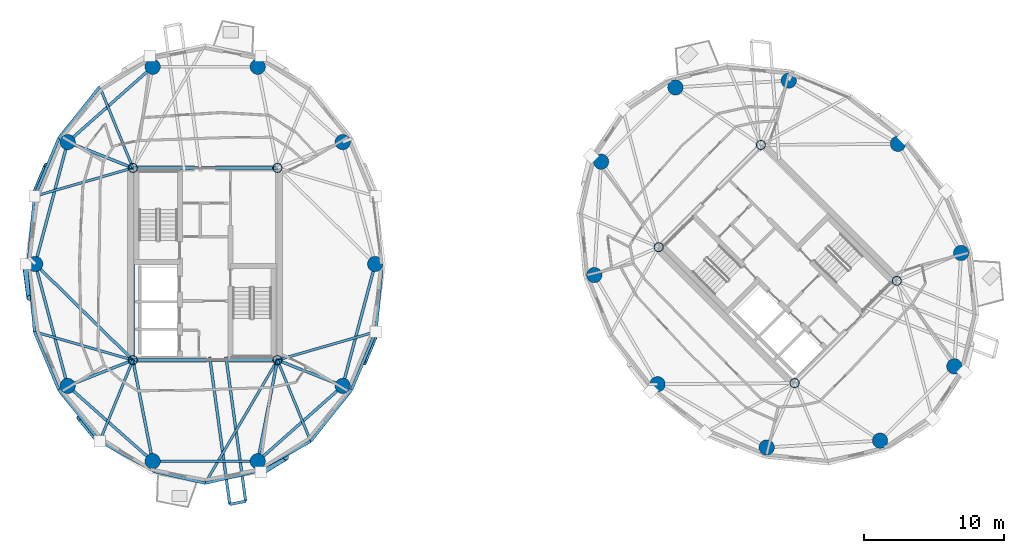
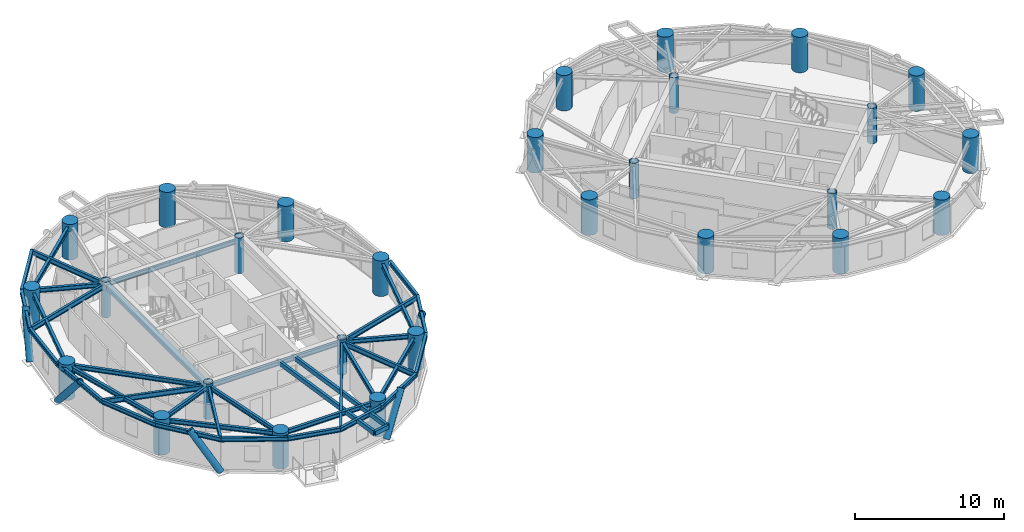
# One storey, part 1 of 16: 39 beams, 28 columns, 5 members.
"""IFC4 building model written with IfcOpenShell, lengths in metres."""

from ifc_helpers import new_model, si_unit, direction, frame, origin, origin_2d, place, context, subcontext, project, spatial, hollow_rectangle, circle, hollow_circle, i_section, extrude, material, material_profile, profile_set, type_object, element, save


model = new_model("IFC4")

# Units and contexts
model_context = context("Model", 3, precision=1e-05, world=origin(), true_north=direction((0.0, 1.0)))
body_context = subcontext(model_context, "Body", "Model", "MODEL_VIEW")
ifc_project = project(units=[si_unit("LENGTHUNIT", "METRE"), si_unit("AREAUNIT", "SQUARE_METRE"), si_unit("VOLUMEUNIT", "CUBIC_METRE"), si_unit("PLANEANGLEUNIT", "RADIAN"), si_unit("MASSUNIT", "GRAM", prefix="KILO")], contexts=[model_context])

# Site, building, storey
site_placement = place(None, origin())
site = spatial("IfcSite", under=ifc_project, at=site_placement, CompositionType="ELEMENT")
building_placement = place(site_placement, origin())
building = spatial("IfcBuilding", under=site, at=building_placement, Name="Cununo Teusaquillo Station Towers", CompositionType="ELEMENT")
storey_placement = place(building_placement, frame((0.0, 0.0, 214.1201171875)))
storey = spatial("IfcBuildingStorey", under=building, at=storey_placement, Name="L68", CompositionType="ELEMENT", Elevation=214.1201171875)

# Columns
ifc_material_1 = material(Name="Steel EN 10025-2 S355J2", Category="steel")
ifc_material_profile_1 = material_profile(ifc_material_1, hollow_circle(Radius=0.330078125, WallThickness=0.02490234375, at=origin_2d()), Name="CHS 660x25")
ifc_profile_set_1 = profile_set([ifc_material_profile_1], Name="Steel EN 10025-2 S355J2")
column_type_1 = type_object("IfcColumnType", Name="COL-CORE-Z3", PredefinedType="COLUMN", material=ifc_profile_set_1)
for number, where, z_axis, x_axis, name in (
    (1, (11.324951171875, 17.6201171875, 0.0), (0.0, 0.0, 1.0), (1.0, 0.0, 0.0), "L68 Tower A Core Column 1"),
    (2, (11.324951171875, 31.3798828125, 0.0), (0.0, 0.0, 1.0), (1.0, 0.0, 0.0), "L68 Tower A Core Column 2"),
    (3, (21.675048828125, 17.6201171875, 0.0), (0.0, 0.0, 1.0), (1.0, 0.0, 0.0), "L68 Tower A Core Column 3"),
    (4, (21.675048828125, 31.3798828125, 0.0), (0.0, 0.0, 1.0), (1.0, 0.0, 0.0), "L68 Tower A Core Column 4"),
    (5, (58.70556640625, 15.975830078125, 0.0), (0.0, 0.0, 1.0), (0.707106781187, 0.707106781187, 0.0), "L68 Tower B Core Column 1"),
    (6, (48.975830078125, 25.70556640625, 0.0), (0.0, 0.0, 1.0), (0.707106781187, 0.707106781187, 0.0), "L68 Tower B Core Column 2"),
    (7, (66.024169921875, 23.29443359375, 0.0), (0.0, 0.0, 1.0), (0.707106781187, 0.707106781187, 0.0), "L68 Tower B Core Column 3"),
    (8, (56.29443359375, 33.024169921875, 0.0), (0.0, 0.0, 1.0), (0.707106781187, 0.707106781187, 0.0), "L68 Tower B Core Column 4"),
):
    element("IfcColumn", number, at=place(storey_placement, frame(where, z_axis=z_axis, x_axis=x_axis)), inside=storey, type_object=column_type_1, Name=name, PredefinedType="COLUMN", context=body_context, shape_type="SweptSolid", body=[
        extrude(hollow_circle(Radius=0.330078125, WallThickness=0.02490234375, at=origin_2d()), origin(), (0.0, 0.0, 1.0), 2.909912109375),
    ])
ifc_material_2 = material(Name="Concrete C50/60", Category="concrete")
ifc_material_profile_2 = material_profile(ifc_material_2, circle(Radius=0.550048828125, at=origin_2d()), Name="RC-CIRC-1100")
ifc_profile_set_2 = profile_set([ifc_material_profile_2], Name="Concrete C50/60")
column_type_2 = type_object("IfcColumnType", Name="COL-MEGA-Z4", PredefinedType="USERDEFINED", material=ifc_profile_set_2)
for number, where, z_axis, x_axis, name in (
    (9, (28.672119140625, 24.5, 0.0), (0.0, 0.0, 1.0), (1.0, 0.0, 0.0), "L68 Tower A Perimeter Column V00"),
    (10, (26.347412109375, 33.228515625, 0.0), (0.0, 0.0, 1.0), (1.0, 0.0, 0.0), "L68 Tower A Perimeter Column V02"),
    (11, (20.261474609375, 38.623291015625, 0.0), (0.0, 0.0, 1.0), (1.0, 0.0, 0.0), "L68 Tower A Perimeter Column V04"),
    (12, (12.738525390625, 38.623291015625, 0.0), (0.0, 0.0, 1.0), (1.0, 0.0, 0.0), "L68 Tower A Perimeter Column V06"),
    (13, (6.652587890625, 33.228515625, 0.0), (0.0, 0.0, 1.0), (1.0, 0.0, 0.0), "L68 Tower A Perimeter Column V08"),
    (14, (4.327880859375, 24.5, 0.0), (0.0, 0.0, 1.0), (1.0, 0.0, 0.0), "L68 Tower A Perimeter Column V10"),
    (15, (6.652587890625, 15.771484375, 0.0), (0.0, 0.0, 1.0), (1.0, 0.0, 0.0), "L68 Tower A Perimeter Column V12"),
    (16, (12.738525390625, 10.376708984375, 0.0), (0.0, 0.0, 1.0), (1.0, 0.0, 0.0), "L68 Tower A Perimeter Column V14"),
    (17, (20.261474609375, 10.376708984375, 0.0), (0.0, 0.0, 1.0), (1.0, 0.0, 0.0), "L68 Tower A Perimeter Column V16"),
    (18, (26.347412109375, 15.771484375, 0.0), (0.0, 0.0, 1.0), (1.0, 0.0, 0.0), "L68 Tower A Perimeter Column V18"),
    (19, (66.10693359375, 33.10693359375, 0.0), (0.0, 0.0, 1.0), (1.0, 0.0, 0.0), "L68 Tower B Perimeter Column V00"),
    (20, (58.291015625, 37.63525390625, 0.0), (0.0, 0.0, 1.0), (1.0, 0.0, 0.0), "L68 Tower B Perimeter Column V02"),
    (21, (50.173095703125, 37.146240234375, 0.0), (0.0, 0.0, 1.0), (1.0, 0.0, 0.0), "L68 Tower B Perimeter Column V04"),
    (22, (44.853759765625, 31.826904296875, 0.0), (0.0, 0.0, 1.0), (1.0, 0.0, 0.0), "L68 Tower B Perimeter Column V06"),
    (23, (44.36474609375, 23.708984375, 0.0), (0.0, 0.0, 1.0), (1.0, 0.0, 0.0), "L68 Tower B Perimeter Column V08"),
    (24, (48.89306640625, 15.89306640625, 0.0), (0.0, 0.0, 1.0), (1.0, 0.0, 0.0), "L68 Tower B Perimeter Column V10"),
    (25, (56.708984375, 11.36474609375, 0.0), (0.0, 0.0, 1.0), (1.0, 0.0, 0.0), "L68 Tower B Perimeter Column V12"),
    (26, (64.826904296875, 11.853759765625, 0.0), (0.0, 0.0, 1.0), (1.0, 0.0, 0.0), "L68 Tower B Perimeter Column V14"),
    (27, (70.146240234375, 17.173095703125, 0.0), (0.0, 0.0, 1.0), (1.0, 0.0, 0.0), "L68 Tower B Perimeter Column V16"),
    (28, (70.63525390625, 25.291015625, 0.0), (0.0, 0.0, 1.0), (1.0, 0.0, 0.0), "L68 Tower B Perimeter Column V18"),
):
    element("IfcColumn", number, at=place(storey_placement, frame(where, z_axis=z_axis, x_axis=x_axis)), inside=storey, type_object=column_type_2, Name=name, ObjectType="MEGA COLUMN", PredefinedType="USERDEFINED", context=body_context, shape_type="SweptSolid", body=[
        extrude(circle(Radius=0.550048828125, at=origin_2d()), origin(), (0.0, 0.0, 1.0), 2.909912109375),
    ])

# Beams
ifc_material_3 = material(Name="Steel EN 10025-2 S355J2", Category="steel")
ifc_material_profile_3 = material_profile(ifc_material_3, hollow_rectangle(XDim=0.199951171875, YDim=0.35009765625, WallThickness=0.013916015625, at=origin_2d()), Name="RHS 350x200x14")
ifc_profile_set_3 = profile_set([ifc_material_profile_3], Name="Steel EN 10025-2 S355J2")
beam_type_1 = type_object("IfcBeamType", Name="BM-BAL-CANT", PredefinedType="BEAM", material=ifc_profile_set_3)
beam_1_placement = place(storey_placement, frame((16.822998046875, 17.85009765625, 2.52490234375), z_axis=(0.135006880627, -0.990844660975, 0.0), x_axis=(0.990844660975, 0.135006880627, 0.0)))
element("IfcBeam", 29, at=beam_1_placement, inside=storey, type_object=beam_type_1, Name="L68 Tower A Balcony Cantilever Bracket 2A", PredefinedType="BEAM", context=body_context, shape_type="SweptSolid", body=[
    extrude(hollow_rectangle(XDim=0.199951171875, YDim=0.35009765625, WallThickness=0.013916015625, at=origin_2d()), origin(), (0.0, 0.0, 1.0), 10.65673828125),
])
beam_2_placement = place(storey_placement, frame((17.9892578125, 17.85009765625, 2.52490234375), z_axis=(0.135018196505, -0.990843119072, 0.0), x_axis=(0.990843119072, 0.135018196505, 0.0)))
element("IfcBeam", 30, at=beam_2_placement, inside=storey, type_object=beam_type_1, Name="L68 Tower A Balcony Cantilever Bracket 2B", PredefinedType="BEAM", context=body_context, shape_type="SweptSolid", body=[
    extrude(hollow_rectangle(XDim=0.199951171875, YDim=0.35009765625, WallThickness=0.013916015625, at=origin_2d()), origin(), (0.0, 0.0, 1.0), 10.43505859375),
])
ifc_material_4 = material(Name="Steel EN 10025-2 S355J2", Category="steel")
ifc_material_profile_4 = material_profile(ifc_material_4, hollow_rectangle(XDim=0.25, YDim=0.449951171875, WallThickness=0.01611328125, at=origin_2d()), Name="RHS 450x250x16")
ifc_profile_set_4 = profile_set([ifc_material_profile_4], Name="Steel EN 10025-2 S355J2")
beam_type_2 = type_object("IfcBeamType", Name="BM-COUP-1", PredefinedType="USERDEFINED", material=ifc_profile_set_4)
beam_3_placement = place(storey_placement, frame((11.324951171875, 17.6201171875, 2.474853515625), z_axis=(0.0, 1.0, 0.0), x_axis=(-1.0, 0.0, 0.0)))
element("IfcBeam", 31, at=beam_3_placement, inside=storey, type_object=beam_type_2, Name="L68 Tower A Core Beam 1", ObjectType="COUPLING BEAM", PredefinedType="USERDEFINED", context=body_context, shape_type="SweptSolid", body=[
    extrude(hollow_rectangle(XDim=0.25, YDim=0.449951171875, WallThickness=0.01611328125, at=origin_2d()), origin(), (0.0, 0.0, 1.0), 13.759765625),
])
ifc_material_5 = material(Name="Steel ASTM A572 Grade 50", Category="steel")
ifc_material_profile_5 = material_profile(ifc_material_5, i_section(OverallWidth=0.180908203125, OverallDepth=0.4169921875, WebThickness=0.010986328125, FlangeThickness=0.018310546875, FilletRadius=0.012939453125, at=origin_2d()), Name="W16X57")
ifc_profile_set_5 = profile_set([ifc_material_profile_5], Name="Steel ASTM A572 Grade 50")
beam_type_3 = type_object("IfcBeamType", Name="BM-JOIST-1", PredefinedType="JOIST", material=ifc_profile_set_5)
beam_4_placement = place(storey_placement, frame((11.324951171875, 31.3798828125, 2.491455078125), z_axis=(-0.378576847217, 0.925569862707, 0.0), x_axis=(-0.925569862707, -0.378576847217, 0.0)))
element("IfcBeam", 32, at=beam_4_placement, inside=storey, type_object=beam_type_3, Name="L68 Tower A Radial Spandrel Joist V07", PredefinedType="JOIST", context=body_context, shape_type="SweptSolid", body=[
    extrude(i_section(OverallWidth=0.180908203125, OverallDepth=0.4169921875, WebThickness=0.010986328125, FlangeThickness=0.018310546875, FilletRadius=0.012939453125, at=origin_2d()), origin(), (0.0, 0.0, 1.0), 6.28125),
])
for number, where, z_axis, x_axis, name in (
    (33, (11.324951171875, 31.3798828125, 2.491455078125), (-0.960861603375, -0.277028841748, 0.0), (0.277028841748, -0.960861603375, 0.0), "L68 Tower A Radial Spandrel Joist V09"),
    (34, (11.324951171875, 17.6201171875, 2.491455078125), (-0.960861603375, 0.277028841748, 0.0), (-0.277028841748, -0.960861603375, 0.0), "L68 Tower A Radial Spandrel Joist V11"),
):
    element("IfcBeam", number, at=place(storey_placement, frame(where, z_axis=z_axis, x_axis=x_axis)), inside=storey, type_object=beam_type_3, Name=name, PredefinedType="JOIST", context=body_context, shape_type="SweptSolid", body=[
        extrude(i_section(OverallWidth=0.180908203125, OverallDepth=0.4169921875, WebThickness=0.010986328125, FlangeThickness=0.018310546875, FilletRadius=0.012939453125, at=origin_2d()), origin(), (0.0, 0.0, 1.0), 7.333251953125),
    ])
beam_5_placement = place(storey_placement, frame((11.324951171875, 17.6201171875, 2.491455078125), z_axis=(-0.378576847217, -0.925569862707, 0.0), x_axis=(0.925569862707, -0.378576847217, 0.0)))
element("IfcBeam", 35, at=beam_5_placement, inside=storey, type_object=beam_type_3, Name="L68 Tower A Radial Spandrel Joist V13", PredefinedType="JOIST", context=body_context, shape_type="SweptSolid", body=[
    extrude(i_section(OverallWidth=0.180908203125, OverallDepth=0.4169921875, WebThickness=0.010986328125, FlangeThickness=0.018310546875, FilletRadius=0.012939453125, at=origin_2d()), origin(), (0.0, 0.0, 1.0), 6.28125),
])
beam_6_placement = place(storey_placement, frame((21.675048828125, 17.6201171875, 2.491455078125), z_axis=(-0.506486432091, -0.862247930765, 0.0), x_axis=(0.862247930765, -0.506486432091, 0.0)))
element("IfcBeam", 36, at=beam_6_placement, inside=storey, type_object=beam_type_3, Name="L68 Tower A Radial Spandrel Joist V15", PredefinedType="JOIST", context=body_context, shape_type="SweptSolid", body=[
    extrude(i_section(OverallWidth=0.180908203125, OverallDepth=0.4169921875, WebThickness=0.010986328125, FlangeThickness=0.018310546875, FilletRadius=0.012939453125, at=origin_2d()), origin(), (0.0, 0.0, 1.0), 10.217529296875),
])
beam_7_placement = place(storey_placement, frame((21.675048828125, 17.6201171875, 2.491455078125), z_axis=(0.378576847217, -0.925569862707, 0.0), x_axis=(0.925569862707, 0.378576847217, 0.0)))
element("IfcBeam", 37, at=beam_7_placement, inside=storey, type_object=beam_type_3, Name="L68 Tower A Radial Spandrel Joist V17", PredefinedType="JOIST", context=body_context, shape_type="SweptSolid", body=[
    extrude(i_section(OverallWidth=0.180908203125, OverallDepth=0.4169921875, WebThickness=0.010986328125, FlangeThickness=0.018310546875, FilletRadius=0.012939453125, at=origin_2d()), origin(), (0.0, 0.0, 1.0), 6.28125),
])
beam_8_placement = place(storey_placement, frame((21.675048828125, 17.6201171875, 2.491455078125), z_axis=(0.960861603375, 0.277028841748, 0.0), x_axis=(-0.277028841748, 0.960861603375, 0.0)))
element("IfcBeam", 38, at=beam_8_placement, inside=storey, type_object=beam_type_3, Name="L68 Tower A Radial Spandrel Joist V19", PredefinedType="JOIST", context=body_context, shape_type="SweptSolid", body=[
    extrude(i_section(OverallWidth=0.180908203125, OverallDepth=0.4169921875, WebThickness=0.010986328125, FlangeThickness=0.018310546875, FilletRadius=0.012939453125, at=origin_2d()), origin(), (0.0, 0.0, 1.0), 7.333251953125),
])
ifc_material_6 = material(Name="Steel ASTM A572 Grade 50", Category="steel")
ifc_material_profile_6 = material_profile(ifc_material_6, i_section(OverallWidth=0.2041015625, OverallDepth=0.35009765625, WebThickness=0.008544921875, FlangeThickness=0.01513671875, FilletRadius=0.011962890625, at=origin_2d()), Name="W14X48")
ifc_profile_set_6 = profile_set([ifc_material_profile_6], Name="Steel ASTM A572 Grade 50")
beam_type_4 = type_object("IfcBeamType", Name="BM-LINTEL-1", PredefinedType="LINTEL", material=ifc_profile_set_6)
for number, where, z_axis, x_axis, name in (
    (39, (11.324951171875, 17.6201171875, 2.52490234375), (1.0, 0.0, 0.0), (0.0, 1.0, 0.0), "L68 Tower A Core Beam 3"),
    (40, (11.324951171875, 31.3798828125, 2.52490234375), (1.0, 0.0, 0.0), (0.0, 1.0, 0.0), "L68 Tower A Core Beam 4"),
):
    element("IfcBeam", number, at=place(storey_placement, frame(where, z_axis=z_axis, x_axis=x_axis)), inside=storey, type_object=beam_type_4, Name=name, PredefinedType="LINTEL", context=body_context, shape_type="SweptSolid", body=[
        extrude(i_section(OverallWidth=0.2041015625, OverallDepth=0.35009765625, WebThickness=0.008544921875, FlangeThickness=0.01513671875, FilletRadius=0.011962890625, at=origin_2d()), origin(), (0.0, 0.0, 1.0), 10.35009765625),
    ])
ifc_material_7 = material(Name="Steel ASTM A572 Grade 50", Category="steel")
ifc_material_profile_7 = material_profile(ifc_material_7, i_section(OverallWidth=0.2041015625, OverallDepth=0.35009765625, WebThickness=0.008544921875, FlangeThickness=0.01513671875, FilletRadius=0.011962890625, at=origin_2d()), Name="W14X48")
ifc_profile_set_7 = profile_set([ifc_material_profile_7], Name="Steel ASTM A572 Grade 50")
beam_type_5 = type_object("IfcBeamType", Name="BM-RAD-G3", PredefinedType="BEAM", material=ifc_profile_set_7)
beam_9_placement = place(storey_placement, frame((11.324951171875, 31.3798828125, 2.52490234375), z_axis=(-0.929851670487, 0.36793460138, 0.0), x_axis=(-0.36793460138, -0.929851670487, 0.0)))
element("IfcBeam", 41, at=beam_9_placement, inside=storey, type_object=beam_type_5, Name="L68 Tower A Continuous Overhanging Radial Girder 05", PredefinedType="BEAM", context=body_context, shape_type="SweptSolid", body=[
    extrude(i_section(OverallWidth=0.2041015625, OverallDepth=0.35009765625, WebThickness=0.008544921875, FlangeThickness=0.01513671875, FilletRadius=0.011962890625, at=origin_2d()), origin(), (0.0, 0.0, 1.0), 5.71630859375),
])
beam_10_placement = place(storey_placement, frame((11.324951171875, 17.6201171875, 2.52490234375), z_axis=(-0.713052701438, 0.701110437073, 0.0), x_axis=(-0.701110437073, -0.713052701438, 0.0)))
element("IfcBeam", 42, at=beam_10_placement, inside=storey, type_object=beam_type_5, Name="L68 Tower A Radial Girder 06A", PredefinedType="BEAM", context=body_context, shape_type="SweptSolid", body=[
    extrude(i_section(OverallWidth=0.2041015625, OverallDepth=0.35009765625, WebThickness=0.008544921875, FlangeThickness=0.01513671875, FilletRadius=0.011962890625, at=origin_2d()), origin(), (0.0, 0.0, 1.0), 9.812744140625),
])
beam_11_placement = place(storey_placement, frame((11.324951171875, 17.6201171875, 2.52490234375), z_axis=(-0.929851670487, -0.36793460138, 0.0), x_axis=(0.36793460138, -0.929851670487, 0.0)))
element("IfcBeam", 43, at=beam_11_placement, inside=storey, type_object=beam_type_5, Name="L68 Tower A Continuous Overhanging Radial Girder 07", PredefinedType="BEAM", context=body_context, shape_type="SweptSolid", body=[
    extrude(i_section(OverallWidth=0.2041015625, OverallDepth=0.35009765625, WebThickness=0.008544921875, FlangeThickness=0.01513671875, FilletRadius=0.011962890625, at=origin_2d()), origin(), (0.0, 0.0, 1.0), 5.71630859375),
])
for number, where, z_axis, x_axis, name in (
    (44, (11.324951171875, 17.6201171875, 2.52490234375), (0.191548487699, -0.981483151593, 0.0), (0.981483151593, 0.191548487699, 0.0), "L68 Tower A Continuous Overhanging Radial Girder 08"),
    (45, (21.675048828125, 17.6201171875, 2.52490234375), (-0.191548487699, -0.981483151593, 0.0), (0.981483151593, -0.191548487699, 0.0), "L68 Tower A Continuous Overhanging Radial Girder 09"),
):
    element("IfcBeam", number, at=place(storey_placement, frame(where, z_axis=z_axis, x_axis=x_axis)), inside=storey, type_object=beam_type_5, Name=name, PredefinedType="BEAM", context=body_context, shape_type="SweptSolid", body=[
        extrude(i_section(OverallWidth=0.2041015625, OverallDepth=0.35009765625, WebThickness=0.008544921875, FlangeThickness=0.01513671875, FilletRadius=0.011962890625, at=origin_2d()), origin(), (0.0, 0.0, 1.0), 8.1240234375),
    ])
beam_12_placement = place(storey_placement, frame((21.675048828125, 17.6201171875, 2.52490234375), z_axis=(0.929851670487, -0.36793460138, 0.0), x_axis=(0.36793460138, 0.929851670487, 0.0)))
element("IfcBeam", 46, at=beam_12_placement, inside=storey, type_object=beam_type_5, Name="L68 Tower A Continuous Overhanging Radial Girder 10", PredefinedType="BEAM", context=body_context, shape_type="SweptSolid", body=[
    extrude(i_section(OverallWidth=0.2041015625, OverallDepth=0.35009765625, WebThickness=0.008544921875, FlangeThickness=0.01513671875, FilletRadius=0.011962890625, at=origin_2d()), origin(), (0.0, 0.0, 1.0), 5.71630859375),
])
ifc_material_8 = material(Name="Steel ASTM A572 Grade 50", Category="steel")
ifc_material_profile_8 = material_profile(ifc_material_8, i_section(OverallWidth=0.2041015625, OverallDepth=0.35009765625, WebThickness=0.008544921875, FlangeThickness=0.01513671875, FilletRadius=0.011962890625, at=origin_2d()), Name="W14X48")
ifc_profile_set_8 = profile_set([ifc_material_profile_8], Name="Steel ASTM A572 Grade 50")
beam_type_6 = type_object("IfcBeamType", Name="BM-RING-Z4", PredefinedType="SPANDREL", material=ifc_profile_set_8)
beam_13_placement = place(storey_placement, frame((12.738525390625, 38.623291015625, 2.52490234375), z_axis=(-0.74832120039, -0.66333655187, 0.0), x_axis=(0.66333655187, -0.74832120039, 0.0)))
element("IfcBeam", 47, at=beam_13_placement, inside=storey, type_object=beam_type_6, Name="L68 Tower A Structural Column Ring Girder 04", PredefinedType="SPANDREL", context=body_context, shape_type="SweptSolid", body=[
    extrude(i_section(OverallWidth=0.2041015625, OverallDepth=0.35009765625, WebThickness=0.008544921875, FlangeThickness=0.01513671875, FilletRadius=0.011962890625, at=origin_2d()), origin(), (0.0, 0.0, 1.0), 8.1328125),
])
for number, where, z_axis, x_axis, name in (
    (48, (6.652587890625, 33.228515625, 2.52490234375), (-0.257363196347, -0.966314744359, 0.0), (0.966314744359, -0.257363196347, 0.0), "L68 Tower A Structural Column Ring Girder 05"),
    (49, (4.327880859375, 24.5, 2.52490234375), (0.257363196347, -0.966314744359, 0.0), (0.966314744359, 0.257363196347, 0.0), "L68 Tower A Structural Column Ring Girder 06"),
):
    element("IfcBeam", number, at=place(storey_placement, frame(where, z_axis=z_axis, x_axis=x_axis)), inside=storey, type_object=beam_type_6, Name=name, PredefinedType="SPANDREL", context=body_context, shape_type="SweptSolid", body=[
        extrude(i_section(OverallWidth=0.2041015625, OverallDepth=0.35009765625, WebThickness=0.008544921875, FlangeThickness=0.01513671875, FilletRadius=0.011962890625, at=origin_2d()), origin(), (0.0, 0.0, 1.0), 9.03271484375),
    ])
beam_14_placement = place(storey_placement, frame((6.652587890625, 15.771484375, 2.52490234375), z_axis=(0.74832120039, -0.66333655187, 0.0), x_axis=(0.66333655187, 0.74832120039, 0.0)))
element("IfcBeam", 50, at=beam_14_placement, inside=storey, type_object=beam_type_6, Name="L68 Tower A Structural Column Ring Girder 07", PredefinedType="SPANDREL", context=body_context, shape_type="SweptSolid", body=[
    extrude(i_section(OverallWidth=0.2041015625, OverallDepth=0.35009765625, WebThickness=0.008544921875, FlangeThickness=0.01513671875, FilletRadius=0.011962890625, at=origin_2d()), origin(), (0.0, 0.0, 1.0), 8.1328125),
])
beam_15_placement = place(storey_placement, frame((12.738525390625, 10.376708984375, 2.52490234375), z_axis=(1.0, 0.0, 0.0), x_axis=(0.0, 1.0, 0.0)))
element("IfcBeam", 51, at=beam_15_placement, inside=storey, type_object=beam_type_6, Name="L68 Tower A Structural Column Ring Girder 08", PredefinedType="SPANDREL", context=body_context, shape_type="SweptSolid", body=[
    extrude(i_section(OverallWidth=0.2041015625, OverallDepth=0.35009765625, WebThickness=0.008544921875, FlangeThickness=0.01513671875, FilletRadius=0.011962890625, at=origin_2d()), origin(), (0.0, 0.0, 1.0), 7.52294921875),
])
beam_16_placement = place(storey_placement, frame((20.261474609375, 10.376708984375, 2.52490234375), z_axis=(0.74832120039, 0.66333655187, 0.0), x_axis=(-0.66333655187, 0.74832120039, 0.0)))
element("IfcBeam", 52, at=beam_16_placement, inside=storey, type_object=beam_type_6, Name="L68 Tower A Structural Column Ring Girder 09", PredefinedType="SPANDREL", context=body_context, shape_type="SweptSolid", body=[
    extrude(i_section(OverallWidth=0.2041015625, OverallDepth=0.35009765625, WebThickness=0.008544921875, FlangeThickness=0.01513671875, FilletRadius=0.011962890625, at=origin_2d()), origin(), (0.0, 0.0, 1.0), 8.1328125),
])
beam_17_placement = place(storey_placement, frame((26.347412109375, 15.771484375, 2.52490234375), z_axis=(0.257363196347, 0.966314744359, 0.0), x_axis=(-0.966314744359, 0.257363196347, 0.0)))
element("IfcBeam", 53, at=beam_17_placement, inside=storey, type_object=beam_type_6, Name="L68 Tower A Structural Column Ring Girder 10", PredefinedType="SPANDREL", context=body_context, shape_type="SweptSolid", body=[
    extrude(i_section(OverallWidth=0.2041015625, OverallDepth=0.35009765625, WebThickness=0.008544921875, FlangeThickness=0.01513671875, FilletRadius=0.011962890625, at=origin_2d()), origin(), (0.0, 0.0, 1.0), 9.03271484375),
])
beam_18_placement = place(storey_placement, frame((8.947021484375, 37.193603515625, 2.52490234375), z_axis=(-0.620710872531, -0.784039547932, 0.0), x_axis=(0.784039547932, -0.620710872531, 0.0)))
element("IfcBeam", 54, at=beam_18_placement, inside=storey, type_object=beam_type_6, Name="L68 Tower A Spandrel Ring Beam 08", PredefinedType="SPANDREL", context=body_context, shape_type="SweptSolid", body=[
    extrude(i_section(OverallWidth=0.2041015625, OverallDepth=0.35009765625, WebThickness=0.008544921875, FlangeThickness=0.01513671875, FilletRadius=0.011962890625, at=origin_2d()), origin(), (0.0, 0.0, 1.0), 4.732421875),
])
beam_19_placement = place(storey_placement, frame((6.009521484375, 33.483154296875, 2.52490234375), z_axis=(-0.386115454066, -0.922450462698, 0.0), x_axis=(0.922450462698, -0.386115454066, 0.0)))
element("IfcBeam", 55, at=beam_19_placement, inside=storey, type_object=beam_type_6, Name="L68 Tower A Spandrel Ring Beam 09", PredefinedType="SPANDREL", context=body_context, shape_type="SweptSolid", body=[
    extrude(i_section(OverallWidth=0.2041015625, OverallDepth=0.35009765625, WebThickness=0.008544921875, FlangeThickness=0.01513671875, FilletRadius=0.011962890625, at=origin_2d()), origin(), (0.0, 0.0, 1.0), 4.482421875),
])
beam_20_placement = place(storey_placement, frame((4.27880859375, 29.348388671875, 2.52490234375), z_axis=(-0.093902932611, -0.995581357422, 0.0), x_axis=(0.995581357422, -0.093902932611, 0.0)))
element("IfcBeam", 56, at=beam_20_placement, inside=storey, type_object=beam_type_6, Name="L68 Tower A Spandrel Ring Beam 10", PredefinedType="SPANDREL", context=body_context, shape_type="SweptSolid", body=[
    extrude(i_section(OverallWidth=0.2041015625, OverallDepth=0.35009765625, WebThickness=0.008544921875, FlangeThickness=0.01513671875, FilletRadius=0.011962890625, at=origin_2d()), origin(), (0.0, 0.0, 1.0), 4.412109375),
])
beam_21_placement = place(storey_placement, frame((3.864501953125, 24.955810546875, 2.52490234375), z_axis=(0.077871988965, -0.996963366095, 0.0), x_axis=(0.996963366095, 0.077871988965, 0.0)))
element("IfcBeam", 57, at=beam_21_placement, inside=storey, type_object=beam_type_6, Name="L68 Tower A Spandrel Ring Beam 11", PredefinedType="SPANDREL", context=body_context, shape_type="SweptSolid", body=[
    extrude(i_section(OverallWidth=0.2041015625, OverallDepth=0.35009765625, WebThickness=0.008544921875, FlangeThickness=0.01513671875, FilletRadius=0.011962890625, at=origin_2d()), origin(), (0.0, 0.0, 1.0), 5.3203125),
])
beam_22_placement = place(storey_placement, frame((4.27880859375, 19.651611328125, 2.52490234375), z_axis=(0.386115454066, -0.922450462698, 0.0), x_axis=(0.922450462698, 0.386115454066, 0.0)))
element("IfcBeam", 58, at=beam_22_placement, inside=storey, type_object=beam_type_6, Name="L68 Tower A Spandrel Ring Beam 12", PredefinedType="SPANDREL", context=body_context, shape_type="SweptSolid", body=[
    extrude(i_section(OverallWidth=0.2041015625, OverallDepth=0.35009765625, WebThickness=0.008544921875, FlangeThickness=0.01513671875, FilletRadius=0.011962890625, at=origin_2d()), origin(), (0.0, 0.0, 1.0), 4.482421875),
])
beam_23_placement = place(storey_placement, frame((6.009521484375, 15.516845703125, 2.52490234375), z_axis=(0.620710872531, -0.784039547932, 0.0), x_axis=(0.784039547932, 0.620710872531, 0.0)))
element("IfcBeam", 59, at=beam_23_placement, inside=storey, type_object=beam_type_6, Name="L68 Tower A Spandrel Ring Beam 13", PredefinedType="SPANDREL", context=body_context, shape_type="SweptSolid", body=[
    extrude(i_section(OverallWidth=0.2041015625, OverallDepth=0.35009765625, WebThickness=0.008544921875, FlangeThickness=0.01513671875, FilletRadius=0.011962890625, at=origin_2d()), origin(), (0.0, 0.0, 1.0), 4.732421875),
])
beam_24_placement = place(storey_placement, frame((8.947021484375, 11.806396484375, 2.52490234375), z_axis=(0.876576300909, -0.481262910149, 0.0), x_axis=(0.481262910149, 0.876576300909, 0.0)))
element("IfcBeam", 60, at=beam_24_placement, inside=storey, type_object=beam_type_6, Name="L68 Tower A Spandrel Ring Beam 14", PredefinedType="SPANDREL", context=body_context, shape_type="SweptSolid", body=[
    extrude(i_section(OverallWidth=0.2041015625, OverallDepth=0.35009765625, WebThickness=0.008544921875, FlangeThickness=0.01513671875, FilletRadius=0.011962890625, at=origin_2d()), origin(), (0.0, 0.0, 1.0), 4.488037109375),
])
for number, where, z_axis, x_axis, name in (
    (61, (12.881103515625, 9.646484375, 2.52490234375), (0.97431470066, -0.225190728224, 0.0), (0.225190728224, 0.97431470066, 0.0), "L68 Tower A Spandrel Ring Beam 15"),
    (62, (16.5, 8.81005859375, 2.52490234375), (0.97431470066, 0.225190728224, 0.0), (-0.225190728224, 0.97431470066, 0.0), "L68 Tower A Spandrel Ring Beam 16"),
):
    element("IfcBeam", number, at=place(storey_placement, frame(where, z_axis=z_axis, x_axis=x_axis)), inside=storey, type_object=beam_type_6, Name=name, PredefinedType="SPANDREL", context=body_context, shape_type="SweptSolid", body=[
        extrude(i_section(OverallWidth=0.2041015625, OverallDepth=0.35009765625, WebThickness=0.008544921875, FlangeThickness=0.01513671875, FilletRadius=0.011962890625, at=origin_2d()), origin(), (0.0, 0.0, 1.0), 3.71435546875),
    ])
beam_25_placement = place(storey_placement, frame((20.118896484375, 9.646484375, 2.52490234375), z_axis=(0.876576300909, 0.481262910149, 0.0), x_axis=(-0.481262910149, 0.876576300909, 0.0)))
element("IfcBeam", 63, at=beam_25_placement, inside=storey, type_object=beam_type_6, Name="L68 Tower A Spandrel Ring Beam 17", PredefinedType="SPANDREL", context=body_context, shape_type="SweptSolid", body=[
    extrude(i_section(OverallWidth=0.2041015625, OverallDepth=0.35009765625, WebThickness=0.008544921875, FlangeThickness=0.01513671875, FilletRadius=0.011962890625, at=origin_2d()), origin(), (0.0, 0.0, 1.0), 4.488037109375),
])
beam_26_placement = place(storey_placement, frame((24.052978515625, 11.806396484375, 2.52490234375), z_axis=(0.620710872531, 0.784039547932, 0.0), x_axis=(-0.784039547932, 0.620710872531, 0.0)))
element("IfcBeam", 64, at=beam_26_placement, inside=storey, type_object=beam_type_6, Name="L68 Tower A Spandrel Ring Beam 18", PredefinedType="SPANDREL", context=body_context, shape_type="SweptSolid", body=[
    extrude(i_section(OverallWidth=0.2041015625, OverallDepth=0.35009765625, WebThickness=0.008544921875, FlangeThickness=0.01513671875, FilletRadius=0.011962890625, at=origin_2d()), origin(), (0.0, 0.0, 1.0), 4.732421875),
])
beam_27_placement = place(storey_placement, frame((26.990478515625, 15.516845703125, 2.52490234375), z_axis=(0.386115454066, 0.922450462698, 0.0), x_axis=(-0.922450462698, 0.386115454066, 0.0)))
element("IfcBeam", 65, at=beam_27_placement, inside=storey, type_object=beam_type_6, Name="L68 Tower A Spandrel Ring Beam 19", PredefinedType="SPANDREL", context=body_context, shape_type="SweptSolid", body=[
    extrude(i_section(OverallWidth=0.2041015625, OverallDepth=0.35009765625, WebThickness=0.008544921875, FlangeThickness=0.01513671875, FilletRadius=0.011962890625, at=origin_2d()), origin(), (0.0, 0.0, 1.0), 4.482421875),
])
beam_28_placement = place(storey_placement, frame((28.72119140625, 19.651611328125, 2.52490234375), z_axis=(0.093902932611, 0.995581357422, 0.0), x_axis=(-0.995581357422, 0.093902932611, 0.0)))
element("IfcBeam", 66, at=beam_28_placement, inside=storey, type_object=beam_type_6, Name="L68 Tower A Spandrel Ring Beam 20", PredefinedType="SPANDREL", context=body_context, shape_type="SweptSolid", body=[
    extrude(i_section(OverallWidth=0.2041015625, OverallDepth=0.35009765625, WebThickness=0.008544921875, FlangeThickness=0.01513671875, FilletRadius=0.011962890625, at=origin_2d()), origin(), (0.0, 0.0, 1.0), 4.412109375),
])
ifc_material_9 = material(Name="Steel EN 10025-2 S355J2", Category="steel")
ifc_material_profile_9 = material_profile(ifc_material_9, hollow_rectangle(XDim=0.199951171875, YDim=0.35009765625, WallThickness=0.013916015625, at=origin_2d()), Name="RHS 350x200x14")
ifc_profile_set_9 = profile_set([ifc_material_profile_9], Name="Steel EN 10025-2 S355J2")
beam_type_7 = type_object("IfcBeamType", Name="BM-STAIR-TRIM", PredefinedType="BEAM", material=ifc_profile_set_9)
beam_29_placement = place(storey_placement, frame((18.26171875, 7.291015625, 2.52490234375), z_axis=(0.981857200028, 0.189621830897, 0.0), x_axis=(-0.189621830897, 0.981857200028, 0.0)))
element("IfcBeam", 67, at=beam_29_placement, inside=storey, type_object=beam_type_7, Name="L68 Tower A Balcony Edge Trimmer Beam 2", PredefinedType="BEAM", context=body_context, shape_type="SweptSolid", body=[
    extrude(hollow_rectangle(XDim=0.199951171875, YDim=0.35009765625, WallThickness=0.013916015625, at=origin_2d()), origin(), (0.0, 0.0, 1.0), 1.157470703125),
])

# Members
ifc_material_10 = material(Name="Steel EN 10025-2 S355J2", Category="steel")
ifc_material_profile_10 = material_profile(ifc_material_10, hollow_circle(Radius=0.25390625, WallThickness=0.01806640625, at=origin_2d()), Name="CHS 508x18")
ifc_profile_set_10 = profile_set([ifc_material_profile_10], Name="Steel EN 10025-2 S355J2")
member_type = type_object("IfcMemberType", Name="MBR-DIAG-Z4", PredefinedType="BRACE", material=ifc_profile_set_10)
member_1_placement = place(storey_placement, frame((4.27880859375, 29.348388671875, -0.14013671875), z_axis=(0.243178360097, 0.58276932845, 0.77539937774), x_axis=(-0.922875628603, 0.385098135713, 0.0)))
element("IfcMember", 68, at=member_1_placement, inside=storey, type_object=member_type, Name="L68 Tower A Folded-Zigzag Diagrid Tube C08", PredefinedType="BRACE", context=body_context, shape_type="SweptSolid", body=[
    extrude(hollow_circle(Radius=0.25390625, WallThickness=0.01806640625, at=origin_2d()), origin(), (0.0, 0.0, 1.0), 3.752685546875),
])
member_2_placement = place(storey_placement, frame((3.64990234375, 24.5, -0.14013671875), z_axis=(0.082803794412, -0.637891139268, 0.765662083477), x_axis=(0.991679857004, 0.128728634006, 0.0)))
element("IfcMember", 69, at=member_2_placement, inside=storey, type_object=member_type, Name="L68 Tower A Folded-Zigzag Diagrid Tube C10", PredefinedType="BRACE", context=body_context, shape_type="SweptSolid", body=[
    extrude(hollow_circle(Radius=0.25390625, WallThickness=0.01806640625, at=origin_2d()), origin(), (0.0, 0.0, 1.0), 3.800537109375),
])
member_3_placement = place(storey_placement, frame((8.947021484375, 11.806396484375, -0.14013671875), z_axis=(-0.386905797136, 0.472353307889, 0.791950918094), x_axis=(-0.773608092629, -0.633664358331, 0.0)))
element("IfcMember", 70, at=member_3_placement, inside=storey, type_object=member_type, Name="L68 Tower A Folded-Zigzag Diagrid Tube C12", PredefinedType="BRACE", context=body_context, shape_type="SweptSolid", body=[
    extrude(hollow_circle(Radius=0.25390625, WallThickness=0.01806640625, at=origin_2d()), origin(), (0.0, 0.0, 1.0), 3.67431640625),
])
member_4_placement = place(storey_placement, frame((20.470947265625, 9.577880859375, -0.14013671875), z_axis=(0.498333742466, 0.310032061152, 0.809656471708), x_axis=(-0.528249968439, 0.849088906325, 0.0)))
element("IfcMember", 71, at=member_4_placement, inside=storey, type_object=member_type, Name="L68 Tower A Folded-Zigzag Diagrid Tube C16", PredefinedType="BRACE", context=body_context, shape_type="SweptSolid", body=[
    extrude(hollow_circle(Radius=0.25390625, WallThickness=0.01806640625, at=origin_2d()), origin(), (0.0, 0.0, 1.0), 3.593994140625),
])
member_5_placement = place(storey_placement, frame((28.72119140625, 19.651611328125, -0.14013671875), z_axis=(-0.243178360097, -0.58276932845, 0.77539937774), x_axis=(0.922875628603, -0.385098135713, 0.0)))
element("IfcMember", 72, at=member_5_placement, inside=storey, type_object=member_type, Name="L68 Tower A Folded-Zigzag Diagrid Tube C18", PredefinedType="BRACE", context=body_context, shape_type="SweptSolid", body=[
    extrude(hollow_circle(Radius=0.25390625, WallThickness=0.01806640625, at=origin_2d()), origin(), (0.0, 0.0, 1.0), 3.752685546875),
])

save(model, "model.ifc")
